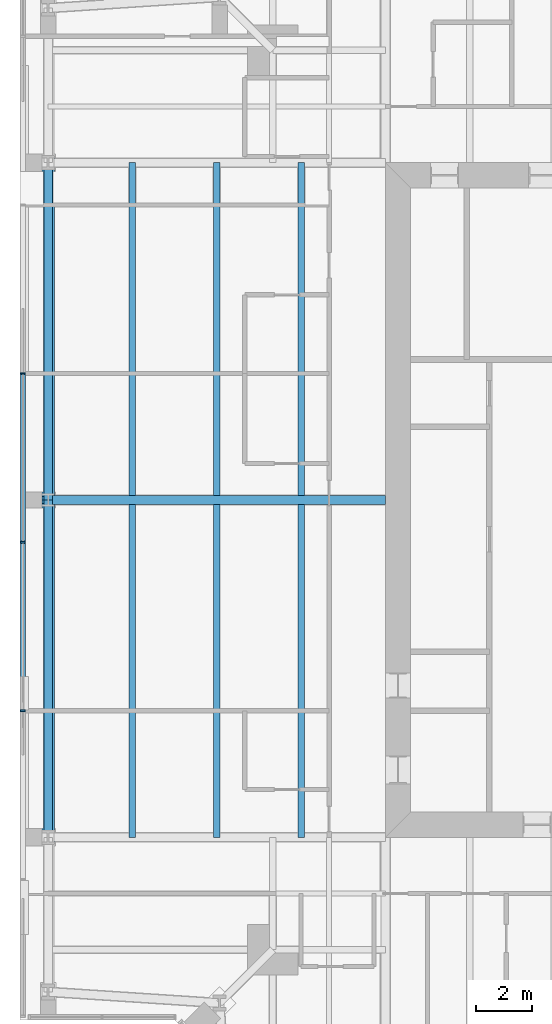
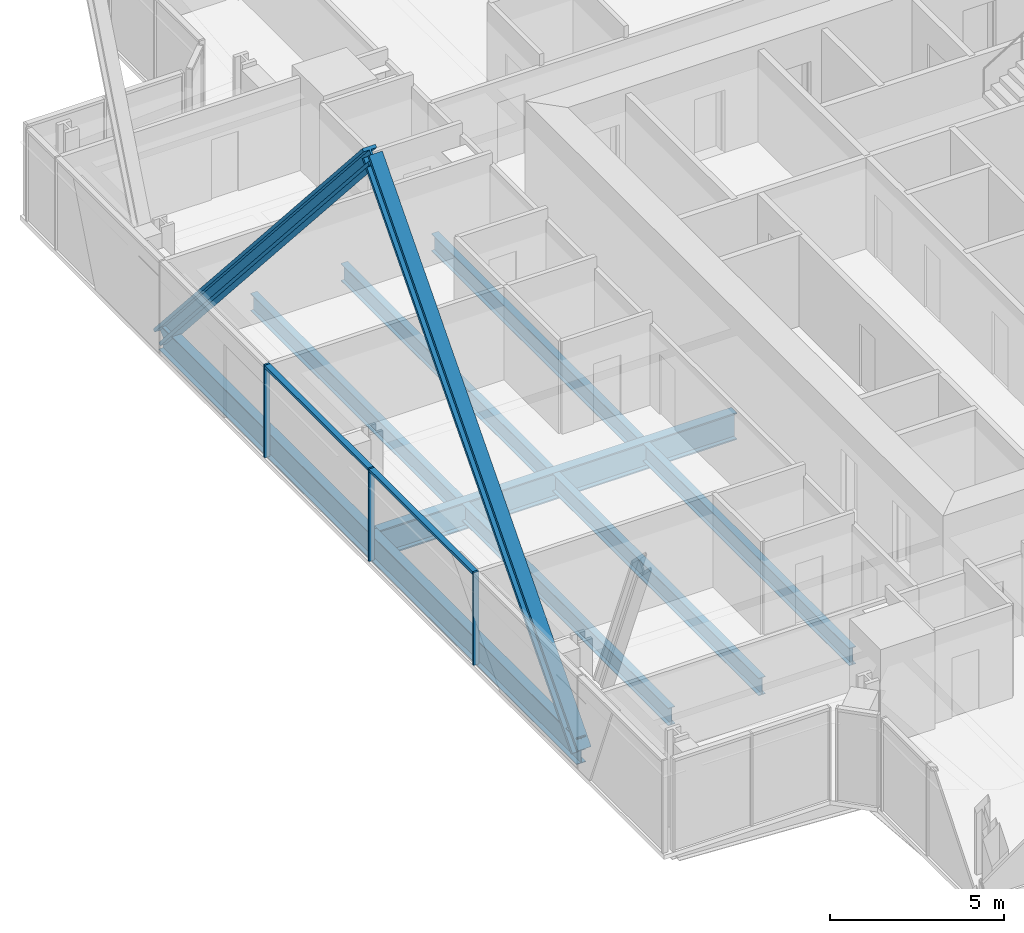
# One storey, part 4 of 18: 9 beams, 7 members, 1 element without a shape of its own.
"""IFC4 building model written with IfcOpenShell, lengths in metres."""

from ifc_helpers import new_model, si_unit, direction, frame, origin, origin_2d, place, context, subcontext, project, spatial, rectangle, i_section, extrude, material, material_profile, profile_set, type_object, element, aggregate, save


model = new_model("IFC4")

# Units and contexts
model_context = context("Model", 3, precision=1e-05, world=origin(), true_north=direction((0.0, 1.0)))
body_context = subcontext(model_context, "Body", "Model", "MODEL_VIEW")
ifc_project = project(units=[si_unit("LENGTHUNIT", "METRE"), si_unit("AREAUNIT", "SQUARE_METRE"), si_unit("VOLUMEUNIT", "CUBIC_METRE"), si_unit("PLANEANGLEUNIT", "RADIAN"), si_unit("MASSUNIT", "GRAM", prefix="KILO")], contexts=[model_context])

# Site, building, storey
site_placement = place(None, origin())
site = spatial("IfcSite", under=ifc_project, at=site_placement, CompositionType="ELEMENT")
building_placement = place(site_placement, origin())
building = spatial("IfcBuilding", under=site, at=building_placement, Name="Fenwick Lantern Interchange", CompositionType="ELEMENT")
storey_placement = place(building_placement, frame((0.0, 0.0, 269.60009765625)))
storey = spatial("IfcBuildingStorey", under=building, at=storey_placement, Name="L64", CompositionType="ELEMENT", Elevation=269.60009765625)

# Beams
ifc_material_1 = material(Name="Steel ASTM A992 Grade 50", Category="steel")
ifc_material_profile_1 = material_profile(ifc_material_1, i_section(OverallWidth=0.3046875, OverallDepth=0.911865234375, WebThickness=0.015869140625, FlangeThickness=0.02392578125, at=origin_2d()), Name="W36X150")
ifc_profile_set_1 = profile_set([ifc_material_profile_1], Name="Steel ASTM A992 Grade 50")
beam_type_1 = type_object("IfcBeamType", Name="EDGE BEAM W36X150", PredefinedType="SPANDREL", material=ifc_profile_set_1)
for number, where, z_axis, x_axis, name in (
    (1, (1.0, 37.0, -0.60595703125), (0.0, -1.0, 0.0), (1.0, 0.0, 0.0), "L64/FR/W/EB2"),
    (2, (1.0, 25.0, -0.60595703125), (0.0, -1.0, 0.0), (1.0, 0.0, 0.0), "L64/FR/W/EB3"),
):
    element("IfcBeam", number, at=place(storey_placement, frame(where, z_axis=z_axis, x_axis=x_axis)), inside=storey, type_object=beam_type_1, Name=name, PredefinedType="SPANDREL", context=body_context, shape_type="SweptSolid", body=[
        extrude(i_section(OverallWidth=0.3046875, OverallDepth=0.911865234375, WebThickness=0.015869140625, FlangeThickness=0.02392578125, at=origin_2d()), origin(), (0.0, 0.0, 1.0), 12.0),
    ])

# Members
ifc_material_profile_2 = material_profile(ifc_material_1, i_section(OverallWidth=0.44189453125, OverallDepth=0.53076171875, WebThickness=0.06591796875, FlangeThickness=0.105712890625, at=origin_2d()), Name="W14X605")
ifc_profile_set_2 = profile_set([ifc_material_profile_2], Name="Steel ASTM A992 Grade 50")
member_type_1 = type_object("IfcMemberType", Name="FACADE BRACE W14X605", PredefinedType="BRACE", material=ifc_profile_set_2)
for number, where, z_axis, x_axis, name in (
    (3, (1.0, 37.0, -0.60595703125), (0.0, -0.661625643894, 0.749834319928), (1.0, 0.0, 0.0), "L64/FB/W/A"),
    (4, (1.0, 13.0, -0.60595703125), (0.0, 0.661625643894, 0.749834319928), (-1.0, 0.0, 0.0), "L64/FB/W/B"),
):
    element("IfcMember", number, at=place(storey_placement, frame(where, z_axis=z_axis, x_axis=x_axis)), inside=storey, type_object=member_type_1, Name=name, PredefinedType="BRACE", context=body_context, shape_type="SweptSolid", body=[
        extrude(i_section(OverallWidth=0.44189453125, OverallDepth=0.53076171875, WebThickness=0.06591796875, FlangeThickness=0.105712890625, at=origin_2d()), origin(), (0.0, 0.0, 1.0), 18.13720703125),
    ])

# Beams
ifc_material_profile_3 = material_profile(ifc_material_1, i_section(OverallWidth=0.22900390625, OverallDepth=0.612060546875, WebThickness=0.011962890625, FlangeThickness=0.01953125, at=origin_2d()), Name="W24X84")
ifc_profile_set_3 = profile_set([ifc_material_profile_3], Name="Steel ASTM A992 Grade 50")
beam_type_2 = type_object("IfcBeamType", Name="FLOOR BEAM W24X84", PredefinedType="BEAM", material=ifc_profile_set_3)
for number, where, z_axis, x_axis, name in (
    (5, (4.0, 37.0, -0.4560546875), (0.0, -1.0, 0.0), (1.0, 0.0, 0.0), "L64/FR/W/B01"),
    (6, (7.0, 37.0, -0.4560546875), (0.0, -1.0, 0.0), (1.0, 0.0, 0.0), "L64/FR/W/B02"),
    (7, (10.0, 37.0, -0.4560546875), (0.0, -1.0, 0.0), (1.0, 0.0, 0.0), "L64/FR/W/B03"),
    (8, (4.0, 24.844970703125, -0.4560546875), (0.0, -1.0, 0.0), (1.0, 0.0, 0.0), "L64/FR/W/B04"),
    (9, (7.0, 24.844970703125, -0.4560546875), (0.0, -1.0, 0.0), (1.0, 0.0, 0.0), "L64/FR/W/B05"),
    (10, (10.0, 24.844970703125, -0.4560546875), (0.0, -1.0, 0.0), (1.0, 0.0, 0.0), "L64/FR/W/B06"),
):
    element("IfcBeam", number, at=place(storey_placement, frame(where, z_axis=z_axis, x_axis=x_axis)), inside=storey, type_object=beam_type_2, Name=name, PredefinedType="BEAM", context=body_context, shape_type="SweptSolid", body=[
        extrude(i_section(OverallWidth=0.22900390625, OverallDepth=0.612060546875, WebThickness=0.011962890625, FlangeThickness=0.01953125, at=origin_2d()), origin(), (0.0, 0.0, 1.0), 11.844970703125),
    ])

# Curtain wall, members
ifc_material_2 = material(Name="Aluminium curtain wall frame", Category="aluminium")
curtain_wall_type = type_object("IfcCurtainWallType", Name="HOTEL CURTAIN WALL", PredefinedType="USERDEFINED", material=ifc_material_2)
curtain_wall_placement = place(storey_placement, origin())
curtain_wall = element("IfcCurtainWall", 11, at=curtain_wall_placement, inside=storey, type_object=curtain_wall_type, Name="Hotel curtain wall 13", ObjectType="HOTEL CURTAIN WALL", PredefinedType="USERDEFINED")
ifc_material_3 = material(Name="Aluminium extrusion", Category="aluminium")
ifc_material_profile_4 = material_profile(ifc_material_3, rectangle(XDim=0.179931640625, YDim=0.06005859375, at=origin_2d()), Name="HOTEL CURTAIN WALL MULLION 60 X 180")
ifc_profile_set_4 = profile_set([ifc_material_profile_4], Name="Aluminium extrusion")
member_type_2 = type_object("IfcMemberType", Name="HOTEL CURTAIN WALL MULLION 60 X 180", PredefinedType="MULLION", material=ifc_profile_set_4)
member_1_placement = place(storey_placement, frame((0.10009765625, 29.5, 0.0), z_axis=(0.0, 0.0, 1.0), x_axis=(1.0, 0.0, 0.0)))
member_1 = element("IfcMember", 12, at=member_1_placement, type_object=member_type_2, Name="L64/CW/13/M03", PredefinedType="MULLION", context=body_context, shape_type="SweptSolid", body=[
    extrude(rectangle(XDim=0.179931640625, YDim=0.06005859375, at=origin_2d()), origin(), (0.0, 0.0, 1.0), 3.25),
])
member_2_placement = place(storey_placement, frame((0.10009765625, 23.5, 0.0), z_axis=(0.0, 0.0, 1.0), x_axis=(1.0, 0.0, 0.0)))
member_2 = element("IfcMember", 13, at=member_2_placement, type_object=member_type_2, Name="L64/CW/13/M04", PredefinedType="MULLION", context=body_context, shape_type="SweptSolid", body=[
    extrude(rectangle(XDim=0.179931640625, YDim=0.06005859375, at=origin_2d()), origin(), (0.0, 0.0, 1.0), 3.25),
])
member_3_placement = place(storey_placement, frame((0.10009765625, 17.5, 0.0), z_axis=(0.0, 0.0, 1.0), x_axis=(1.0, 0.0, 0.0)))
member_3 = element("IfcMember", 14, at=member_3_placement, type_object=member_type_2, Name="L64/CW/13/M05", PredefinedType="MULLION", context=body_context, shape_type="SweptSolid", body=[
    extrude(rectangle(XDim=0.179931640625, YDim=0.06005859375, at=origin_2d()), origin(), (0.0, 0.0, 1.0), 3.25),
])
ifc_material_profile_5 = material_profile(ifc_material_3, rectangle(XDim=0.179931640625, YDim=0.10009765625, at=origin_2d()), Name="HOTEL CURTAIN WALL TRANSOM 100 X 180")
ifc_profile_set_5 = profile_set([ifc_material_profile_5], Name="Aluminium extrusion")
member_type_3 = type_object("IfcMemberType", Name="HOTEL CURTAIN WALL TRANSOM 100 X 180", PredefinedType="MULLION", material=ifc_profile_set_5)
member_4_placement = place(storey_placement, frame((0.10009765625, 29.469970703125, 3.199951171875), z_axis=(0.0, -1.0, 0.0), x_axis=(1.0, 0.0, 0.0)))
member_4 = element("IfcMember", 15, at=member_4_placement, type_object=member_type_3, Name="L64/CW/13/T03", PredefinedType="MULLION", context=body_context, shape_type="SweptSolid", body=[
    extrude(rectangle(XDim=0.179931640625, YDim=0.10009765625, at=origin_2d()), origin(), (0.0, 0.0, 1.0), 5.93994140625),
])
member_5_placement = place(storey_placement, frame((0.10009765625, 23.469970703125, 3.199951171875), z_axis=(0.0, -1.0, 0.0), x_axis=(1.0, 0.0, 0.0)))
member_5 = element("IfcMember", 16, at=member_5_placement, type_object=member_type_3, Name="L64/CW/13/T04", PredefinedType="MULLION", context=body_context, shape_type="SweptSolid", body=[
    extrude(rectangle(XDim=0.179931640625, YDim=0.10009765625, at=origin_2d()), origin(), (0.0, 0.0, 1.0), 5.93994140625),
])
aggregate(curtain_wall, [member_1, member_2, member_3, member_4, member_5])

# Beam
ifc_material_profile_6 = material_profile(ifc_material_1, i_section(OverallWidth=0.309814453125, OverallDepth=0.949951171875, WebThickness=0.0244140625, FlangeThickness=0.0439453125, at=origin_2d()), Name="W36X256")
ifc_profile_set_6 = profile_set([ifc_material_profile_6], Name="Steel ASTM A992 Grade 50")
beam_type_3 = type_object("IfcBeamType", Name="MOMENT-CONNECTED GIRDER W36X256", PredefinedType="BEAM", material=ifc_profile_set_6)
beam_placement = place(storey_placement, frame((1.0, 25.0, -0.625), z_axis=(1.0, 0.0, 0.0), x_axis=(0.0, 1.0, 0.0)))
element("IfcBeam", 17, at=beam_placement, inside=storey, type_object=beam_type_3, Name="L64/FR/W/R02", PredefinedType="BEAM", context=body_context, shape_type="SweptSolid", body=[
    extrude(i_section(OverallWidth=0.309814453125, OverallDepth=0.949951171875, WebThickness=0.0244140625, FlangeThickness=0.0439453125, at=origin_2d()), origin(), (0.0, 0.0, 1.0), 12.0),
])

save(model, "model.ifc")
